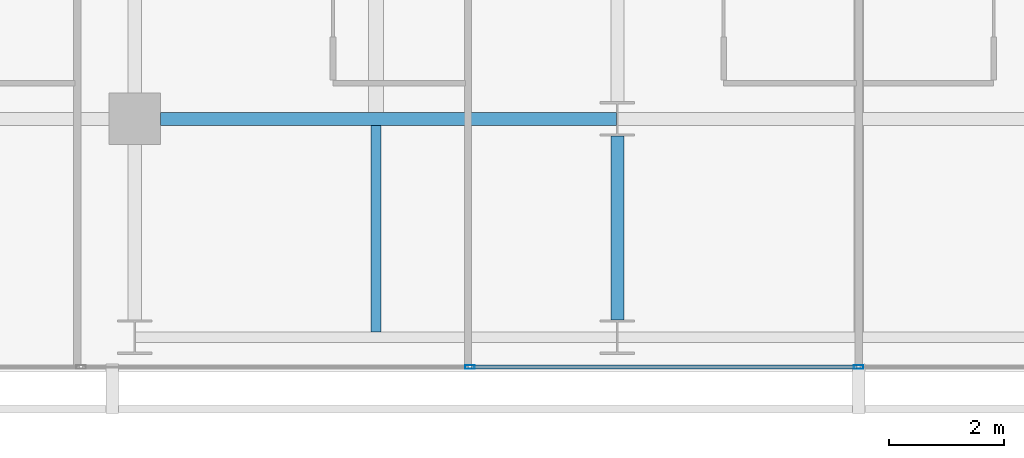
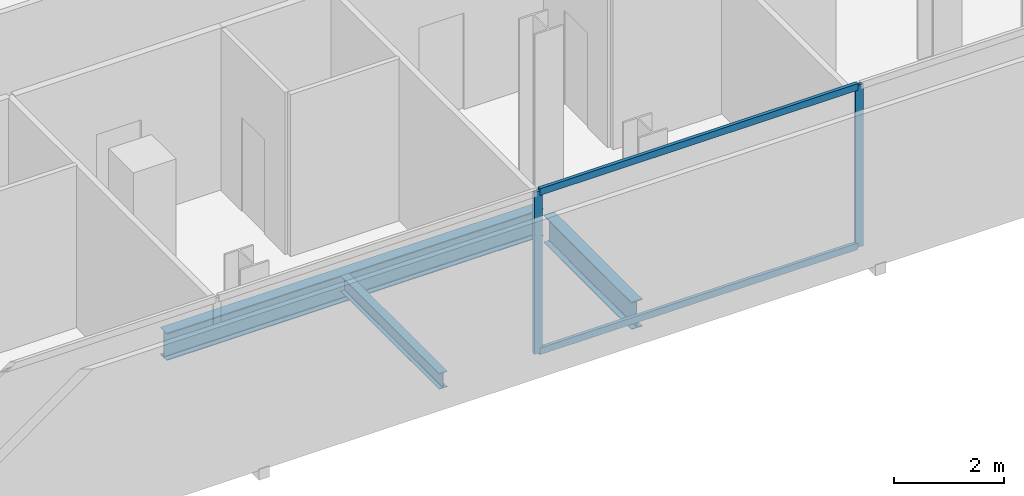
# One storey, part 6 of 33: 4 members, 3 beams, 1 element without a shape of its own.
"""IFC4 building model written with IfcOpenShell, lengths in metres."""

from ifc_helpers import new_model, si_unit, direction, frame, origin, origin_2d, place, context, subcontext, project, spatial, hollow_rectangle, i_section, extrude, material, layer, layer_set, material_profile, profile_set, type_object, element, aggregate, save


model = new_model("IFC4")

# Units and contexts
model_context = context("Model", 3, precision=1e-05, world=origin(), true_north=direction((0.0, 1.0)))
body_context = subcontext(model_context, "Body", "Model", "MODEL_VIEW")
ifc_project = project(units=[si_unit("LENGTHUNIT", "METRE"), si_unit("AREAUNIT", "SQUARE_METRE"), si_unit("VOLUMEUNIT", "CUBIC_METRE"), si_unit("PLANEANGLEUNIT", "RADIAN"), si_unit("MASSUNIT", "GRAM", prefix="KILO")], contexts=[model_context])

# Site, building, storey
site_placement = place(None, origin())
site = spatial("IfcSite", under=ifc_project, at=site_placement, CompositionType="ELEMENT")
building_placement = place(site_placement, origin())
building = spatial("IfcBuilding", under=site, at=building_placement, Name="Maruvema Waterfront Hotel and Observation Tower", CompositionType="ELEMENT")
storey_placement = place(building_placement, frame((0.0, 0.0, 154.35009765625)))
storey = spatial("IfcBuildingStorey", under=building, at=storey_placement, Name="L37", CompositionType="ELEMENT", Elevation=154.35009765625)

# Curtain wall, members
ifc_material_1 = material(Name="Anodised bronze aluminium and solar-control low-E IGU", Category="aluminium")
ifc_layer = layer(ifc_material_1, 0.159912109375, Name="Zone 2 Amber Inner Thermal Curtain Wall System CW-03")
ifc_layer_set = layer_set([ifc_layer], Name="Anodised bronze aluminium and solar-control low-E IGU")
curtain_wall_type = type_object("IfcCurtainWallType", Name="Zone 2 Amber Inner Thermal Curtain Wall System CW-03", PredefinedType="USERDEFINED", material=ifc_layer_set)
curtain_wall_placement = place(storey_placement, origin())
curtain_wall = element("IfcCurtainWall", 1, at=curtain_wall_placement, inside=storey, type_object=curtain_wall_type, Name="L37 Curtain Wall CW-L37-S", ObjectType="UNITISED CURTAIN WALL", PredefinedType="USERDEFINED")
ifc_material_2 = material(Name="Anodised architectural bronze aluminium", Category="aluminium")
ifc_material_profile_1 = material_profile(ifc_material_2, hollow_rectangle(XDim=0.070068359375, YDim=0.14990234375, WallThickness=0.00390625, at=origin_2d()), Name="ALU-T70x150")
ifc_profile_set_1 = profile_set([ifc_material_profile_1], Name="Anodised architectural bronze aluminium")
member_type_1 = type_object("IfcMemberType", Name="Curtain Wall Horizontal Transom ALU-T70x150", PredefinedType="USERDEFINED", material=ifc_profile_set_1)
member_1_placement = place(storey_placement, frame((31.063232421875, 4.679931640625, 0.02978515625), z_axis=(1.0, 0.0, 0.0), x_axis=(0.0, 1.0, 0.0)))
member_1 = element("IfcMember", 2, at=member_1_placement, type_object=member_type_1, Name="CW-03 transom 3.1", ObjectType="TRANSOM", PredefinedType="USERDEFINED", context=body_context, shape_type="SweptSolid", body=[
    extrude(hollow_rectangle(XDim=0.070068359375, YDim=0.14990234375, WallThickness=0.00390625, at=origin_2d()), origin(), (0.0, 0.0, 1.0), 6.706787109375),
])
member_2_placement = place(storey_placement, frame((31.063232421875, 4.679931640625, 3.579833984375), z_axis=(1.0, 0.0, 0.0), x_axis=(0.0, 1.0, 0.0)))
member_2 = element("IfcMember", 3, at=member_2_placement, type_object=member_type_1, Name="CW-03 transom 3.2", ObjectType="TRANSOM", PredefinedType="USERDEFINED", context=body_context, shape_type="SweptSolid", body=[
    extrude(hollow_rectangle(XDim=0.070068359375, YDim=0.14990234375, WallThickness=0.00390625, at=origin_2d()), origin(), (0.0, 0.0, 1.0), 6.706787109375),
])
ifc_material_3 = material(Name="Anodised architectural bronze aluminium", Category="aluminium")
ifc_material_profile_2 = material_profile(ifc_material_3, hollow_rectangle(XDim=0.06494140625, YDim=0.1650390625, WallThickness=0.00390625, at=origin_2d()), Name="ALU-M65x165")
ifc_profile_set_2 = profile_set([ifc_material_profile_2], Name="Anodised architectural bronze aluminium")
member_type_2 = type_object("IfcMemberType", Name="Curtain Wall Primary Mullion ALU-M65x165", PredefinedType="MULLION", material=ifc_profile_set_2)
member_3_placement = place(storey_placement, frame((31.033447265625, 4.679931640625, 0.0), z_axis=(0.0, 0.0, 1.0), x_axis=(0.0, 1.0, 0.0)))
member_3 = element("IfcMember", 4, at=member_3_placement, type_object=member_type_2, Name="CW-03 mullion 3", PredefinedType="MULLION", context=body_context, shape_type="SweptSolid", body=[
    extrude(hollow_rectangle(XDim=0.06494140625, YDim=0.1650390625, WallThickness=0.00390625, at=origin_2d()), origin(), (0.0, 0.0, 1.0), 3.60986328125),
])
member_4_placement = place(storey_placement, frame((37.800048828125, 4.679931640625, 0.0), z_axis=(0.0, 0.0, 1.0), x_axis=(0.0, 1.0, 0.0)))
member_4 = element("IfcMember", 5, at=member_4_placement, type_object=member_type_2, Name="CW-03 mullion 4", PredefinedType="MULLION", context=body_context, shape_type="SweptSolid", body=[
    extrude(hollow_rectangle(XDim=0.06494140625, YDim=0.1650390625, WallThickness=0.00390625, at=origin_2d()), origin(), (0.0, 0.0, 1.0), 3.60986328125),
])
aggregate(curtain_wall, [member_3, member_4, member_1, member_2])

# Beams
ifc_material_4 = material(Name="Steel ASTM A572 Grade 50", Category="steel")
ifc_material_profile_3 = material_profile(ifc_material_4, i_section(OverallWidth=0.22900390625, OverallDepth=0.612060546875, WebThickness=0.011962890625, FlangeThickness=0.01953125, FilletRadius=0.01806640625, at=origin_2d()), Name="W610x125.0")
ifc_profile_set_3 = profile_set([ifc_material_profile_3], Name="Steel ASTM A572 Grade 50")
beam_type_1 = type_object("IfcBeamType", Name="Primary Floor Girder W610x125.0", PredefinedType="BEAM", material=ifc_profile_set_3)
beam_1_placement = place(storey_placement, frame((25.64990234375, 9.0, -0.546142578125), z_axis=(1.0, 0.0, 0.0), x_axis=(0.0, 1.0, 0.0)))
element("IfcBeam", 6, at=beam_1_placement, inside=storey, type_object=beam_type_1, Name="L37 Floor Girder EW-06", PredefinedType="BEAM", context=body_context, shape_type="SweptSolid", body=[
    extrude(i_section(OverallWidth=0.22900390625, OverallDepth=0.612060546875, WebThickness=0.011962890625, FlangeThickness=0.01953125, FilletRadius=0.01806640625, at=origin_2d()), origin(), (0.0, 0.0, 1.0), 7.9375),
])
beam_2_placement = place(storey_placement, frame((33.60009765625, 5.5, -0.546142578125), z_axis=(0.0, 1.0, 0.0), x_axis=(-1.0, 0.0, 0.0)))
element("IfcBeam", 7, at=beam_2_placement, inside=storey, type_object=beam_type_1, Name="L37 Floor Girder NS-14", PredefinedType="BEAM", context=body_context, shape_type="SweptSolid", body=[
    extrude(i_section(OverallWidth=0.22900390625, OverallDepth=0.612060546875, WebThickness=0.011962890625, FlangeThickness=0.01953125, FilletRadius=0.01806640625, at=origin_2d()), origin(), (0.0, 0.0, 1.0), 3.199951171875),
])
ifc_material_5 = material(Name="Steel ASTM A572 Grade 50", Category="steel")
ifc_material_profile_4 = material_profile(ifc_material_5, i_section(OverallWidth=0.1708984375, OverallDepth=0.35498046875, WebThickness=0.007080078125, FlangeThickness=0.01171875, FilletRadius=0.014892578125, at=origin_2d()), Name="W360x51.0")
ifc_profile_set_4 = profile_set([ifc_material_profile_4], Name="Steel ASTM A572 Grade 50")
beam_type_2 = type_object("IfcBeamType", Name="Secondary Floor Joist W360x51.0", PredefinedType="JOIST", material=ifc_profile_set_4)
beam_3_placement = place(storey_placement, frame((29.39990234375, 5.29052734375, -0.41748046875), z_axis=(0.0, 1.0, 0.0), x_axis=(-1.0, 0.0, 0.0)))
element("IfcBeam", 8, at=beam_3_placement, inside=storey, type_object=beam_type_2, Name="L37 Secondary Floor Joist JS-05", PredefinedType="JOIST", context=body_context, shape_type="SweptSolid", body=[
    extrude(i_section(OverallWidth=0.1708984375, OverallDepth=0.35498046875, WebThickness=0.007080078125, FlangeThickness=0.01171875, FilletRadius=0.014892578125, at=origin_2d()), origin(), (0.0, 0.0, 1.0), 3.594970703125),
])

save(model, "model.ifc")
